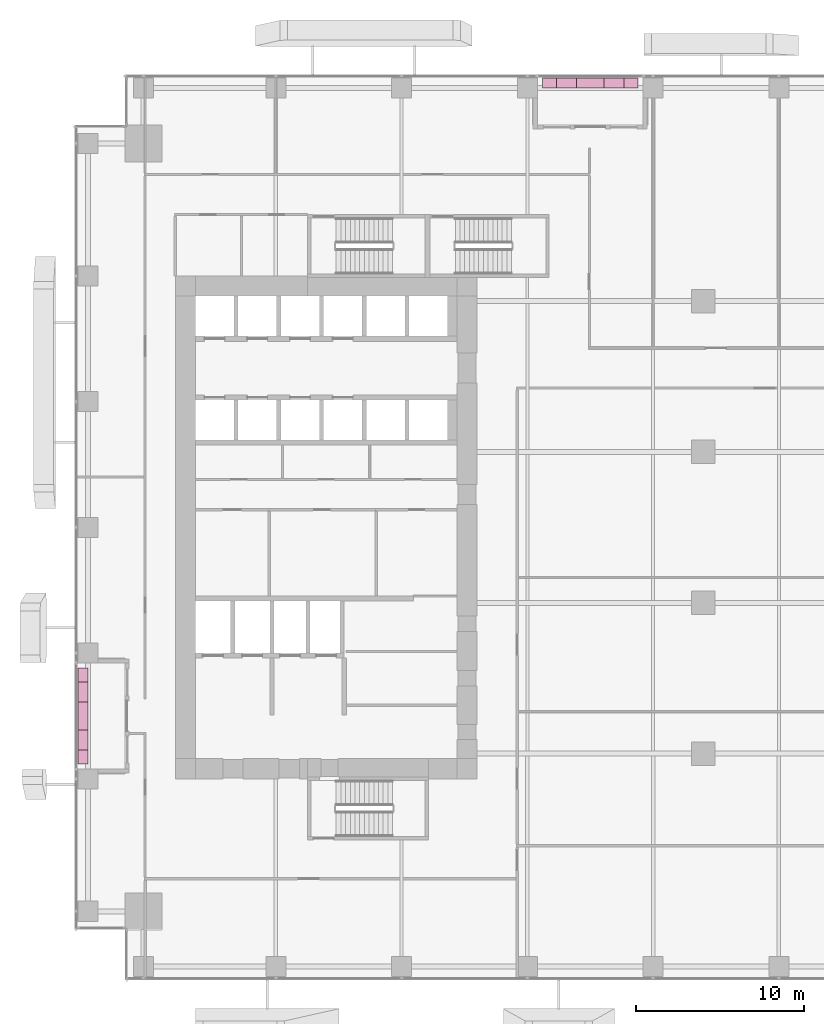
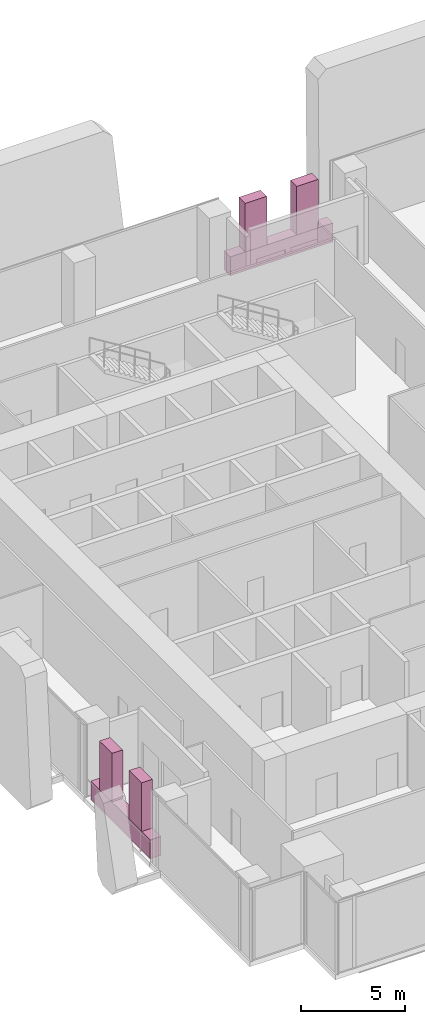
# One storey, part 34 of 34: 6 furnishings.
"""IFC4 building model written with IfcOpenShell, lengths in metres."""

import ifcopenshell
import ifcopenshell.guid

model = None  # the IFC model being written
_history = None  # IfcOwnerHistory: only IFC2X3 demands one
_inside = {}  # id of a spatial element -> (the spatial element, [elements in it])
_under = {}  # id of a project, library or spatial element -> (it, [spatial elements below it])
_declared = {}  # id of a project -> (the project, [libraries it declares])
_typed = {}  # id of a type object -> (the type object, [elements of that type])
_made_of = {}  # id of a material, layer set ... -> (it, [elements and type objects made of it])


def new_model(schema):
    """Start an empty IFC model of exactly this schema.

    Asked for "IFC4X3", IfcOpenShell would pick the latest addendum, in which some entities
    have other attributes; the version numbers below select the first issue.
    IFC2X3 requires an IfcOwnerHistory on every rooted entity: one is made here for all.
    """
    global model, _history
    if schema == "IFC4X3":
        model = ifcopenshell.file(schema_version=(4, 3, 0, 0))
    else:
        model = ifcopenshell.file(schema=schema)
    _inside.clear()
    _under.clear()
    _declared.clear()
    _typed.clear()
    _made_of.clear()
    _history = None
    if model.schema == "IFC2X3":
        org = make("IfcOrganization", Name="unknown")
        user = make(
            "IfcPersonAndOrganization",
            ThePerson=make("IfcPerson", FamilyName="unknown"),
            TheOrganization=org,
        )
        app = make(
            "IfcApplication",
            ApplicationDeveloper=org,
            Version="unknown",
            ApplicationFullName="unknown",
            ApplicationIdentifier="unknown",
        )
        _history = make(
            "IfcOwnerHistory",
            OwningUser=user,
            OwningApplication=app,
            ChangeAction="ADDED",
            CreationDate=0,
        )
    return model


def make(cls, **values):
    """One entity of the class cls with the attributes given. An attribute that is None is left unset."""
    return model.create_entity(
        cls, **{name: value for name, value in values.items() if value is not None}
    )


def rooted(cls, **values):
    """An entity with a GlobalId (a new one), such as an element, a storey or a relation."""
    return make(cls, GlobalId=ifcopenshell.guid.new(), OwnerHistory=_history, **values)


def si_unit(unit_type, name, prefix=None):
    """IfcSIUnit, for example si_unit("LENGTHUNIT", "METRE", prefix="MILLI")."""
    return make("IfcSIUnit", UnitType=unit_type, Prefix=prefix, Name=name)


def assignment(units):
    """IfcUnitAssignment: the units of a project."""
    return None if units is None else make("IfcUnitAssignment", Units=units)


def point(xyz):
    """IfcCartesianPoint."""
    return None if xyz is None else make("IfcCartesianPoint", Coordinates=xyz)


def direction(xyz):
    """IfcDirection."""
    return None if xyz is None else make("IfcDirection", DirectionRatios=xyz)


def frame(location, z_axis=None, x_axis=None):
    """IfcAxis2Placement3D, a coordinate frame: its origin and axes. An axis left out is left unset."""
    return make(
        "IfcAxis2Placement3D",
        Location=point(location),
        Axis=direction(z_axis),
        RefDirection=direction(x_axis),
    )


def frame_2d(location, x_axis=None):
    """IfcAxis2Placement2D, a coordinate frame in the plane: its origin and x axis."""
    return make(
        "IfcAxis2Placement2D", Location=point(location), RefDirection=direction(x_axis)
    )


def origin():
    """The frame at (0, 0, 0) with its axes left unset."""
    return frame((0.0, 0.0, 0.0))


def origin_2d():
    """The frame at (0, 0) in the plane with its x axis left unset."""
    return frame_2d((0.0, 0.0))


def place(relative_to, where):
    """IfcLocalPlacement: puts the frame where relative to a parent placement (None: the world)."""
    return make(
        "IfcLocalPlacement", PlacementRelTo=relative_to, RelativePlacement=where
    )


def context(
    kind, dimensions, precision=None, world=None, true_north=None, identifier=None
):
    """IfcGeometricRepresentationContext, for example the 3D "Model" context."""
    return make(
        "IfcGeometricRepresentationContext",
        ContextIdentifier=identifier,
        ContextType=kind,
        CoordinateSpaceDimension=dimensions,
        Precision=precision,
        WorldCoordinateSystem=world,
        TrueNorth=true_north,
    )


def subcontext(parent, identifier, kind, view, scale=None):
    """IfcGeometricRepresentationSubContext, for example "Body" below "Model"."""
    return make(
        "IfcGeometricRepresentationSubContext",
        ContextIdentifier=identifier,
        ContextType=kind,
        ParentContext=parent,
        TargetScale=scale,
        TargetView=view,
    )


def project(units=None, contexts=None):
    """IfcProject with its units and contexts."""
    return rooted(
        "IfcProject",
        Name="project",
        RepresentationContexts=contexts,
        UnitsInContext=assignment(units),
    )


def spatial(cls, under=None, at=None, **own):
    """A site, building, storey or space (cls), placed at a placement, below another one or the project."""
    s = rooted(cls, ObjectPlacement=at, **own)
    if under is not None:
        _under.setdefault(under.id(), (under, []))[1].append(s)
    return s


def profile(cls, at=None, kind="AREA", **sizes):
    """A parametric profile (cls). Its sizes go by their IFC names, for example OverallWidth=200.0."""
    return make(cls, ProfileType=kind, Position=at, **sizes)


def rectangle(**sizes):
    """IfcRectangleProfileDef."""
    return profile("IfcRectangleProfileDef", **sizes)


def extrude(swept, where, along, depth):
    """IfcExtrudedAreaSolid: the profile swept, set in the frame where, extruded along a direction by depth."""
    return make(
        "IfcExtrudedAreaSolid",
        SweptArea=swept,
        Position=where,
        ExtrudedDirection=direction(along),
        Depth=depth,
    )


def shape(context_of_items, identifier, shape_type, items):
    """IfcShapeRepresentation: the items that make up one representation, for example the "Body"."""
    return make(
        "IfcShapeRepresentation",
        ContextOfItems=context_of_items,
        RepresentationIdentifier=identifier,
        RepresentationType=shape_type,
        Items=items,
    )


def source(mapping_origin, context_of_items, identifier, shape_type, items):
    """IfcRepresentationMap: a shape defined once, which mapped items show again and again."""
    return make(
        "IfcRepresentationMap",
        MappingOrigin=mapping_origin,
        MappedRepresentation=shape(context_of_items, identifier, shape_type, items),
    )


def transform(
    local_origin,
    x_axis=None,
    y_axis=None,
    z_axis=None,
    scale=None,
    scale2=None,
    scale3=None,
    uniform=True,
):
    """IfcCartesianTransformationOperator3D, or its non-uniform kind. x_axis, y_axis, z_axis: its Axis1, 2, 3."""
    if uniform:
        return make(
            "IfcCartesianTransformationOperator3D",
            Axis1=direction(x_axis),
            Axis2=direction(y_axis),
            LocalOrigin=point(local_origin),
            Scale=scale,
            Axis3=direction(z_axis),
        )
    return make(
        "IfcCartesianTransformationOperator3DnonUniform",
        Axis1=direction(x_axis),
        Axis2=direction(y_axis),
        LocalOrigin=point(local_origin),
        Scale=scale,
        Axis3=direction(z_axis),
        Scale2=scale2,
        Scale3=scale3,
    )


def mapped(mapping_source, mapping_target):
    """IfcMappedItem: shows the shape of a source again, moved by a transform."""
    return make(
        "IfcMappedItem", MappingSource=mapping_source, MappingTarget=mapping_target
    )


def material(Name=None, Category=None):
    """IfcMaterial."""
    return make("IfcMaterial", Name=Name, Category=Category)


def made_of(thing, what):
    """Note that an element or type object is made of a material, layer set ...; save() writes the relation."""
    if what is not None:
        _made_of.setdefault(what.id(), (what, []))[1].append(thing)
    return thing


def type_object(cls, material=None, **own):
    """A type object (cls), such as IfcWallType, which elements share."""
    return made_of(rooted(cls, **own), material)


def element(
    cls,
    number,
    at=None,
    inside=None,
    cuts=None,
    type_object=None,
    material=None,
    context=None,
    identifier="Body",
    shape_type=None,
    held_by="IfcProductDefinitionShape",
    body=None,
    shapes=None,
    **own,
):
    """One element of the class cls, such as IfcWall. Its Tag is "e" and its number.

    at: its placement. inside: the storey or other place that contains it. cuts: it is an
    opening in that element (IfcRelVoidsElement). A single representation is given by context,
    identifier, shape_type and body (its items); several are given by shapes. held_by: the class
    of the entity that holds the representations. save() writes the other relations.
    """
    e = rooted(cls, Tag="e%d" % number, ObjectPlacement=at, **own)
    if body is not None:
        shapes = [shape(context, identifier, shape_type, body)]
    if shapes is not None:
        e.Representation = make(held_by, Representations=shapes)
    if inside is not None:
        _inside.setdefault(inside.id(), (inside, []))[1].append(e)
    if cuts is not None:
        rooted(
            "IfcRelVoidsElement", RelatingBuildingElement=cuts, RelatedOpeningElement=e
        )
    if type_object is not None:
        _typed.setdefault(type_object.id(), (type_object, []))[1].append(e)
    return made_of(e, material)


def aggregate(whole, parts):
    """IfcRelAggregates: a whole, such as a stair, and the parts it consists of."""
    return rooted("IfcRelAggregates", RelatingObject=whole, RelatedObjects=parts)


def save(model, path):
    """Write the relations noted so far, then the file.

    IfcRelAggregates (storeys below a building ...), IfcRelContainedInSpatialStructure (elements
    in a storey), IfcRelDefinesByType, IfcRelAssociatesMaterial and IfcRelDeclares: one each for
    every whole, place, type object, material and project.
    """
    for whole, parts in _under.values():
        aggregate(whole, parts)
    for where, things in _inside.values():
        rooted(
            "IfcRelContainedInSpatialStructure",
            RelatedElements=things,
            RelatingStructure=where,
        )
    for kind, things in _typed.values():
        rooted("IfcRelDefinesByType", RelatedObjects=things, RelatingType=kind)
    for what, things in _made_of.values():
        rooted("IfcRelAssociatesMaterial", RelatedObjects=things, RelatingMaterial=what)
    for by, libraries in _declared.values():
        rooted("IfcRelDeclares", RelatingContext=by, RelatedDefinitions=libraries)
    model.write(path)


model = new_model("IFC4")

# Units and contexts
model_context = context("Model", 3, precision=1e-05, world=origin(), true_north=direction((0.0, 1.0)))
body_context = subcontext(model_context, "Body", "Model", "MODEL_VIEW")
ifc_project = project(units=[si_unit("LENGTHUNIT", "METRE"), si_unit("AREAUNIT", "SQUARE_METRE"), si_unit("VOLUMEUNIT", "CUBIC_METRE"), si_unit("PLANEANGLEUNIT", "RADIAN"), si_unit("MASSUNIT", "GRAM", prefix="KILO")], contexts=[model_context])

# Site, building, storey
site_placement = place(None, origin())
site = spatial("IfcSite", under=ifc_project, at=site_placement, CompositionType="ELEMENT")
building_placement = place(site_placement, origin())
building = spatial("IfcBuilding", under=site, at=building_placement, Name="Khomas Fold Tower", CompositionType="ELEMENT")
storey_placement = place(building_placement, frame((0.0, 0.0, 51.0)))
storey = spatial("IfcBuildingStorey", under=building, at=storey_placement, Name="L10", CompositionType="ELEMENT", Elevation=51.0)

# Furnishings
ifc_material_1 = material(Name="Precast concrete C40/50", Category="concrete")
furnishing_element_type_1 = type_object("IfcFurnishingElementType", Name="BL-Structural planter box", material=ifc_material_1)
shared_shape_1 = source(origin(), body_context, "Body", "SweptSolid", [
    extrude(rectangle(XDim=5.699951171875, YDim=0.60009765625, at=origin_2d()), origin(), (0.0, 0.0, 1.0), 1.10009765625),
])
for number, where, z_axis, x_axis, name in (
    (1, (30.75, 53.5, -0.045166015625), (0.0, 0.0, 1.0), (1.0, 0.0, 0.0), "PLANTER BAL-L10-N3"),
    (2, (0.5, 15.75, -0.045166015625), (0.0, 0.0, 1.0), (0.0, 1.0, 0.0), "PLANTER BAL-L10-W1"),
):
    element("IfcFurnishingElement", number, at=place(storey_placement, frame(where, z_axis=z_axis, x_axis=x_axis)), inside=storey, type_object=furnishing_element_type_1, Name=name, context=body_context, shape_type="MappedRepresentation", body=[
        mapped(shared_shape_1, transform((0.0, 0.0, 0.0))),
    ])
ifc_material_2 = material(Name="Planting")
furnishing_element_type_2 = type_object("IfcFurnishingElementType", Name="BL-Tree Shepherd's tree", material=ifc_material_2)
shared_shape_2 = source(origin(), body_context, "Body", "SweptSolid", [
    extrude(rectangle(XDim=1.199951171875, YDim=0.60009765625, at=origin_2d()), origin(), (0.0, 0.0, 1.0), 2.844970703125),
])
furnishing_1_placement = place(storey_placement, frame((29.324951171875, 53.5, 1.05517578125), z_axis=(0.0, 0.0, 1.0), x_axis=(1.0, 0.0, 0.0)))
element("IfcFurnishingElement", 3, at=furnishing_1_placement, inside=storey, type_object=furnishing_element_type_2, Name="PLANTER (TREE) Shepherd's tree BAL-L10-N3-1", context=body_context, shape_type="MappedRepresentation", body=[
    mapped(shared_shape_2, transform((0.0, 0.0, 0.0))),
])
ifc_material_3 = material(Name="Planting")
furnishing_element_type_3 = type_object("IfcFurnishingElementType", Name="BL-Tree Karee", material=ifc_material_3)
furnishing_2_placement = place(storey_placement, frame((32.175048828125, 53.5, 1.05517578125), z_axis=(0.0, 0.0, 1.0), x_axis=(1.0, 0.0, 0.0)))
element("IfcFurnishingElement", 4, at=furnishing_2_placement, inside=storey, type_object=furnishing_element_type_3, Name="PLANTER (TREE) Karee BAL-L10-N3-2", context=body_context, shape_type="MappedRepresentation", body=[
    mapped(shared_shape_2, transform((0.0, 0.0, 0.0))),
])
furnishing_3_placement = place(storey_placement, frame((0.5, 14.324951171875, 1.05517578125), z_axis=(0.0, 0.0, 1.0), x_axis=(0.0, 1.0, 0.0)))
element("IfcFurnishingElement", 5, at=furnishing_3_placement, inside=storey, type_object=furnishing_element_type_2, Name="PLANTER (TREE) Shepherd's tree BAL-L10-W1-1", context=body_context, shape_type="MappedRepresentation", body=[
    mapped(shared_shape_2, transform((0.0, 0.0, 0.0))),
])
furnishing_4_placement = place(storey_placement, frame((0.5, 17.175048828125, 1.05517578125), z_axis=(0.0, 0.0, 1.0), x_axis=(0.0, 1.0, 0.0)))
element("IfcFurnishingElement", 6, at=furnishing_4_placement, inside=storey, type_object=furnishing_element_type_3, Name="PLANTER (TREE) Karee BAL-L10-W1-2", context=body_context, shape_type="MappedRepresentation", body=[
    mapped(shared_shape_2, transform((0.0, 0.0, 0.0))),
])

save(model, "model.ifc")
